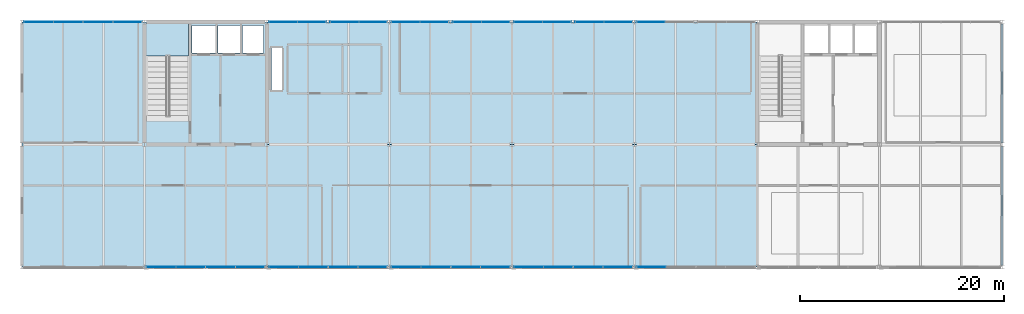
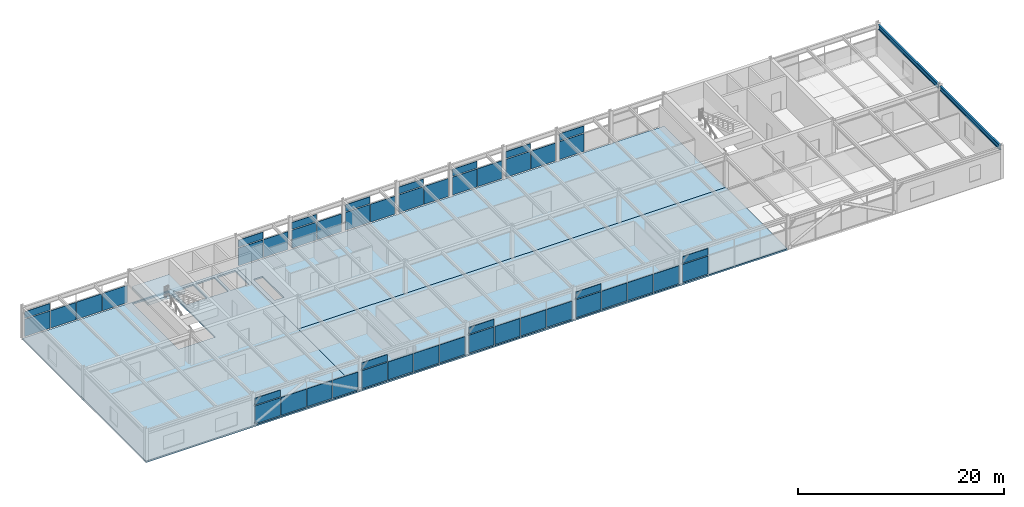
# One storey, part 34 of 40: 47 plates, 4 slabs, 2 beams, 14 elements without a shape of their own.
"""IFC4 building model written with IfcOpenShell, lengths in metres."""

import ifcopenshell
import ifcopenshell.guid

model = None  # the IFC model being written
_history = None  # IfcOwnerHistory: only IFC2X3 demands one
_inside = {}  # id of a spatial element -> (the spatial element, [elements in it])
_under = {}  # id of a project, library or spatial element -> (it, [spatial elements below it])
_declared = {}  # id of a project -> (the project, [libraries it declares])
_typed = {}  # id of a type object -> (the type object, [elements of that type])
_made_of = {}  # id of a material, layer set ... -> (it, [elements and type objects made of it])


def new_model(schema):
    """Start an empty IFC model of exactly this schema.

    Asked for "IFC4X3", IfcOpenShell would pick the latest addendum, in which some entities
    have other attributes; the version numbers below select the first issue.
    IFC2X3 requires an IfcOwnerHistory on every rooted entity: one is made here for all.
    """
    global model, _history
    if schema == "IFC4X3":
        model = ifcopenshell.file(schema_version=(4, 3, 0, 0))
    else:
        model = ifcopenshell.file(schema=schema)
    _inside.clear()
    _under.clear()
    _declared.clear()
    _typed.clear()
    _made_of.clear()
    _history = None
    if model.schema == "IFC2X3":
        org = make("IfcOrganization", Name="unknown")
        user = make(
            "IfcPersonAndOrganization",
            ThePerson=make("IfcPerson", FamilyName="unknown"),
            TheOrganization=org,
        )
        app = make(
            "IfcApplication",
            ApplicationDeveloper=org,
            Version="unknown",
            ApplicationFullName="unknown",
            ApplicationIdentifier="unknown",
        )
        _history = make(
            "IfcOwnerHistory",
            OwningUser=user,
            OwningApplication=app,
            ChangeAction="ADDED",
            CreationDate=0,
        )
    return model


def make(cls, **values):
    """One entity of the class cls with the attributes given. An attribute that is None is left unset."""
    return model.create_entity(
        cls, **{name: value for name, value in values.items() if value is not None}
    )


def rooted(cls, **values):
    """An entity with a GlobalId (a new one), such as an element, a storey or a relation."""
    return make(cls, GlobalId=ifcopenshell.guid.new(), OwnerHistory=_history, **values)


def si_unit(unit_type, name, prefix=None):
    """IfcSIUnit, for example si_unit("LENGTHUNIT", "METRE", prefix="MILLI")."""
    return make("IfcSIUnit", UnitType=unit_type, Prefix=prefix, Name=name)


def assignment(units):
    """IfcUnitAssignment: the units of a project."""
    return None if units is None else make("IfcUnitAssignment", Units=units)


def point(xyz):
    """IfcCartesianPoint."""
    return None if xyz is None else make("IfcCartesianPoint", Coordinates=xyz)


def direction(xyz):
    """IfcDirection."""
    return None if xyz is None else make("IfcDirection", DirectionRatios=xyz)


def frame(location, z_axis=None, x_axis=None):
    """IfcAxis2Placement3D, a coordinate frame: its origin and axes. An axis left out is left unset."""
    return make(
        "IfcAxis2Placement3D",
        Location=point(location),
        Axis=direction(z_axis),
        RefDirection=direction(x_axis),
    )


def frame_2d(location, x_axis=None):
    """IfcAxis2Placement2D, a coordinate frame in the plane: its origin and x axis."""
    return make(
        "IfcAxis2Placement2D", Location=point(location), RefDirection=direction(x_axis)
    )


def origin():
    """The frame at (0, 0, 0) with its axes left unset."""
    return frame((0.0, 0.0, 0.0))


def origin_2d():
    """The frame at (0, 0) in the plane with its x axis left unset."""
    return frame_2d((0.0, 0.0))


def place(relative_to, where):
    """IfcLocalPlacement: puts the frame where relative to a parent placement (None: the world)."""
    return make(
        "IfcLocalPlacement", PlacementRelTo=relative_to, RelativePlacement=where
    )


def context(
    kind, dimensions, precision=None, world=None, true_north=None, identifier=None
):
    """IfcGeometricRepresentationContext, for example the 3D "Model" context."""
    return make(
        "IfcGeometricRepresentationContext",
        ContextIdentifier=identifier,
        ContextType=kind,
        CoordinateSpaceDimension=dimensions,
        Precision=precision,
        WorldCoordinateSystem=world,
        TrueNorth=true_north,
    )


def subcontext(parent, identifier, kind, view, scale=None):
    """IfcGeometricRepresentationSubContext, for example "Body" below "Model"."""
    return make(
        "IfcGeometricRepresentationSubContext",
        ContextIdentifier=identifier,
        ContextType=kind,
        ParentContext=parent,
        TargetScale=scale,
        TargetView=view,
    )


def project(units=None, contexts=None):
    """IfcProject with its units and contexts."""
    return rooted(
        "IfcProject",
        Name="project",
        RepresentationContexts=contexts,
        UnitsInContext=assignment(units),
    )


def spatial(cls, under=None, at=None, **own):
    """A site, building, storey or space (cls), placed at a placement, below another one or the project."""
    s = rooted(cls, ObjectPlacement=at, **own)
    if under is not None:
        _under.setdefault(under.id(), (under, []))[1].append(s)
    return s


def polyline(points):
    """IfcPolyline through the points."""
    return make("IfcPolyline", Points=[point(p) for p in points])


def profile(cls, at=None, kind="AREA", **sizes):
    """A parametric profile (cls). Its sizes go by their IFC names, for example OverallWidth=200.0."""
    return make(cls, ProfileType=kind, Position=at, **sizes)


def rectangle(**sizes):
    """IfcRectangleProfileDef."""
    return profile("IfcRectangleProfileDef", **sizes)


def i_section(**sizes):
    """IfcIShapeProfileDef."""
    return profile("IfcIShapeProfileDef", **sizes)


def outline(outer, holes=None, kind="AREA"):
    """IfcArbitraryClosedProfileDef: a profile drawn as a closed curve; with holes, ...WithVoids."""
    if holes is None:
        return make("IfcArbitraryClosedProfileDef", ProfileType=kind, OuterCurve=outer)
    return make(
        "IfcArbitraryProfileDefWithVoids",
        ProfileType=kind,
        OuterCurve=outer,
        InnerCurves=holes,
    )


def extrude(swept, where, along, depth):
    """IfcExtrudedAreaSolid: the profile swept, set in the frame where, extruded along a direction by depth."""
    return make(
        "IfcExtrudedAreaSolid",
        SweptArea=swept,
        Position=where,
        ExtrudedDirection=direction(along),
        Depth=depth,
    )


def shape(context_of_items, identifier, shape_type, items):
    """IfcShapeRepresentation: the items that make up one representation, for example the "Body"."""
    return make(
        "IfcShapeRepresentation",
        ContextOfItems=context_of_items,
        RepresentationIdentifier=identifier,
        RepresentationType=shape_type,
        Items=items,
    )


def material(Name=None, Category=None):
    """IfcMaterial."""
    return make("IfcMaterial", Name=Name, Category=Category)


def layer(
    of_material, thickness, ventilated=None, Name=None, Category=None, Priority=None
):
    """IfcMaterialLayer: one layer of a wall or slab, of a material (None: an air gap)."""
    return make(
        "IfcMaterialLayer",
        Material=of_material,
        LayerThickness=thickness,
        IsVentilated=ventilated,
        Name=Name,
        Category=Category,
        Priority=Priority,
    )


def layer_set(layers, Name=None):
    """IfcMaterialLayerSet."""
    return make("IfcMaterialLayerSet", MaterialLayers=layers, LayerSetName=Name)


def material_profile(
    of_material, cross_section, Name=None, Category=None, Priority=None
):
    """IfcMaterialProfile: a cross section and its material."""
    return make(
        "IfcMaterialProfile",
        Name=Name,
        Material=of_material,
        Profile=cross_section,
        Priority=Priority,
        Category=Category,
    )


def profile_set(profiles, Name=None, composite=None):
    """IfcMaterialProfileSet."""
    return make(
        "IfcMaterialProfileSet",
        Name=Name,
        MaterialProfiles=profiles,
        CompositeProfile=composite,
    )


def made_of(thing, what):
    """Note that an element or type object is made of a material, layer set ...; save() writes the relation."""
    if what is not None:
        _made_of.setdefault(what.id(), (what, []))[1].append(thing)
    return thing


def type_object(cls, material=None, **own):
    """A type object (cls), such as IfcWallType, which elements share."""
    return made_of(rooted(cls, **own), material)


def element(
    cls,
    number,
    at=None,
    inside=None,
    cuts=None,
    type_object=None,
    material=None,
    context=None,
    identifier="Body",
    shape_type=None,
    held_by="IfcProductDefinitionShape",
    body=None,
    shapes=None,
    **own,
):
    """One element of the class cls, such as IfcWall. Its Tag is "e" and its number.

    at: its placement. inside: the storey or other place that contains it. cuts: it is an
    opening in that element (IfcRelVoidsElement). A single representation is given by context,
    identifier, shape_type and body (its items); several are given by shapes. held_by: the class
    of the entity that holds the representations. save() writes the other relations.
    """
    e = rooted(cls, Tag="e%d" % number, ObjectPlacement=at, **own)
    if body is not None:
        shapes = [shape(context, identifier, shape_type, body)]
    if shapes is not None:
        e.Representation = make(held_by, Representations=shapes)
    if inside is not None:
        _inside.setdefault(inside.id(), (inside, []))[1].append(e)
    if cuts is not None:
        rooted(
            "IfcRelVoidsElement", RelatingBuildingElement=cuts, RelatedOpeningElement=e
        )
    if type_object is not None:
        _typed.setdefault(type_object.id(), (type_object, []))[1].append(e)
    return made_of(e, material)


def aggregate(whole, parts):
    """IfcRelAggregates: a whole, such as a stair, and the parts it consists of."""
    return rooted("IfcRelAggregates", RelatingObject=whole, RelatedObjects=parts)


def save(model, path):
    """Write the relations noted so far, then the file.

    IfcRelAggregates (storeys below a building ...), IfcRelContainedInSpatialStructure (elements
    in a storey), IfcRelDefinesByType, IfcRelAssociatesMaterial and IfcRelDeclares: one each for
    every whole, place, type object, material and project.
    """
    for whole, parts in _under.values():
        aggregate(whole, parts)
    for where, things in _inside.values():
        rooted(
            "IfcRelContainedInSpatialStructure",
            RelatedElements=things,
            RelatingStructure=where,
        )
    for kind, things in _typed.values():
        rooted("IfcRelDefinesByType", RelatedObjects=things, RelatingType=kind)
    for what, things in _made_of.values():
        rooted("IfcRelAssociatesMaterial", RelatedObjects=things, RelatingMaterial=what)
    for by, libraries in _declared.values():
        rooted("IfcRelDeclares", RelatingContext=by, RelatedDefinitions=libraries)
    model.write(path)


model = new_model("IFC4")

# Units and contexts
model_context = context("Model", 3, precision=1e-05, world=origin(), true_north=direction((0.0, 1.0)))
body_context = subcontext(model_context, "Body", "Model", "MODEL_VIEW")
ifc_project = project(units=[si_unit("LENGTHUNIT", "METRE"), si_unit("AREAUNIT", "SQUARE_METRE"), si_unit("VOLUMEUNIT", "CUBIC_METRE"), si_unit("PLANEANGLEUNIT", "RADIAN"), si_unit("MASSUNIT", "GRAM", prefix="KILO")], contexts=[model_context])

# Site, building, storey
site_placement = place(None, origin())
site = spatial("IfcSite", under=ifc_project, at=site_placement, CompositionType="ELEMENT")
building_placement = place(site_placement, origin())
building = spatial("IfcBuilding", under=site, at=building_placement, Name="Girod Span Mobility Hub", CompositionType="ELEMENT")
storey_placement = place(building_placement, frame((0.0, 0.0, 57.60009765625)))
storey = spatial("IfcBuildingStorey", under=building, at=storey_placement, Name="L14", CompositionType="ELEMENT", Elevation=57.60009765625)

# Beams
ifc_material_1 = material(Name="Steel A992 Grade 50", Category="steel")
ifc_material_profile = material_profile(ifc_material_1, i_section(OverallWidth=0.2119140625, OverallDepth=0.5439453125, WebThickness=0.01318359375, FlangeThickness=0.021240234375, FilletRadius=0.014892578125, at=origin_2d()), Name="W21X83")
ifc_profile_set = profile_set([ifc_material_profile], Name="Steel A992 Grade 50")
beam_type = type_object("IfcBeamType", Name="BM-STL-W21X83", PredefinedType="SPANDREL", material=ifc_profile_set)
for number, where, z_axis, x_axis, name in (
    (1, (132.0, 45.175048828125, 3.48779296875), (0.0, 1.0, 0.0), (-1.0, 0.0, 0.0), "Tie Girder 12/D-E L14"),
    (2, (132.0, 57.175048828125, 3.48779296875), (0.0, 1.0, 0.0), (-1.0, 0.0, 0.0), "Tie Girder 12/E-F L14"),
):
    element("IfcBeam", number, at=place(storey_placement, frame(where, z_axis=z_axis, x_axis=x_axis)), inside=storey, type_object=beam_type, Name=name, PredefinedType="SPANDREL", context=body_context, shape_type="SweptSolid", body=[
        extrude(i_section(OverallWidth=0.2119140625, OverallDepth=0.5439453125, WebThickness=0.01318359375, FlangeThickness=0.021240234375, FilletRadius=0.014892578125, at=origin_2d()), origin(), (0.0, 0.0, 1.0), 11.64990234375),
    ])

# Curtain wall, plate
ifc_material_2 = material(Name="Thermally Broken Anodised Aluminium", Category="aluminium")
curtain_wall_type_1 = type_object("IfcCurtainWallType", Name="CW-564X331", PredefinedType="USERDEFINED", material=ifc_material_2)
curtain_wall_1_placement = place(storey_placement, origin())
curtain_wall_1 = element("IfcCurtainWall", 3, at=curtain_wall_1_placement, inside=storey, type_object=curtain_wall_type_1, Name="Unitised Curtain Wall CW-L14-N06W L14", ObjectType="UNITISED CURTAIN WALL", PredefinedType="USERDEFINED")
ifc_material_3 = material(Name="Double Low-E Insulated Glazing", Category="glass")
ifc_layer_1 = layer(ifc_material_3, 0.05810546875)
ifc_layer_set_1 = layer_set([ifc_layer_1], Name="Double Low-E Insulated Glazing")
plate_type_1 = type_object("IfcPlateType", Name="PLT-SPN-2748X846X58", PredefinedType="CURTAIN_PANEL", material=ifc_layer_set_1)
plate_1_placement = place(storey_placement, frame((61.59130859375, 69.0, 2.380126953125), z_axis=(0.0, 0.0, 1.0), x_axis=(1.0, 0.0, 0.0)))
plate_1 = element("IfcPlate", 4, at=plate_1_placement, type_object=plate_type_1, Name="Spandrel Glazing Panel CW-L14-N06W-S1", PredefinedType="CURTAIN_PANEL", context=body_context, shape_type="SweptSolid", body=[
    extrude(rectangle(XDim=2.75341796875, YDim=0.05810546875, at=origin_2d()), origin(), (0.0, 0.0, 1.0), 0.8056640625),
])

curtain_wall_2_placement = place(storey_placement, origin())
curtain_wall_2 = element("IfcCurtainWall", 5, at=curtain_wall_2_placement, inside=storey, type_object=curtain_wall_type_1, Name="Unitised Curtain Wall CW-L14-N06E L14", ObjectType="UNITISED CURTAIN WALL", PredefinedType="USERDEFINED")
plate_2_placement = place(storey_placement, frame((67.59130859375, 69.0, 2.380126953125), z_axis=(0.0, 0.0, 1.0), x_axis=(1.0, 0.0, 0.0)))
plate_2 = element("IfcPlate", 6, at=plate_2_placement, type_object=plate_type_1, Name="Spandrel Glazing Panel CW-L14-N06E-S1", PredefinedType="CURTAIN_PANEL", context=body_context, shape_type="SweptSolid", body=[
    extrude(rectangle(XDim=2.75341796875, YDim=0.05810546875, at=origin_2d()), origin(), (0.0, 0.0, 1.0), 0.8056640625),
])

curtain_wall_3_placement = place(storey_placement, origin())
curtain_wall_3 = element("IfcCurtainWall", 7, at=curtain_wall_3_placement, inside=storey, type_object=curtain_wall_type_1, Name="Unitised Curtain Wall CW-L14-N07W L14", ObjectType="UNITISED CURTAIN WALL", PredefinedType="USERDEFINED")
plate_3_placement = place(storey_placement, frame((73.59130859375, 69.0, 2.380126953125), z_axis=(0.0, 0.0, 1.0), x_axis=(1.0, 0.0, 0.0)))
plate_3 = element("IfcPlate", 8, at=plate_3_placement, type_object=plate_type_1, Name="Spandrel Glazing Panel CW-L14-N07W-S1", PredefinedType="CURTAIN_PANEL", context=body_context, shape_type="SweptSolid", body=[
    extrude(rectangle(XDim=2.75341796875, YDim=0.05810546875, at=origin_2d()), origin(), (0.0, 0.0, 1.0), 0.8056640625),
])

curtain_wall_4_placement = place(storey_placement, origin())
curtain_wall_4 = element("IfcCurtainWall", 9, at=curtain_wall_4_placement, inside=storey, type_object=curtain_wall_type_1, Name="Unitised Curtain Wall CW-L14-N07E L14", ObjectType="UNITISED CURTAIN WALL", PredefinedType="USERDEFINED")
plate_4_placement = place(storey_placement, frame((79.59130859375, 69.0, 2.380126953125), z_axis=(0.0, 0.0, 1.0), x_axis=(1.0, 0.0, 0.0)))
plate_4 = element("IfcPlate", 10, at=plate_4_placement, type_object=plate_type_1, Name="Spandrel Glazing Panel CW-L14-N07E-S1", PredefinedType="CURTAIN_PANEL", context=body_context, shape_type="SweptSolid", body=[
    extrude(rectangle(XDim=2.75341796875, YDim=0.05810546875, at=origin_2d()), origin(), (0.0, 0.0, 1.0), 0.8056640625),
])

curtain_wall_5_placement = place(storey_placement, origin())
curtain_wall_5 = element("IfcCurtainWall", 11, at=curtain_wall_5_placement, inside=storey, type_object=curtain_wall_type_1, Name="Unitised Curtain Wall CW-L14-N08W L14", ObjectType="UNITISED CURTAIN WALL", PredefinedType="USERDEFINED")
plate_5_placement = place(storey_placement, frame((85.59130859375, 69.0, 2.380126953125), z_axis=(0.0, 0.0, 1.0), x_axis=(1.0, 0.0, 0.0)))
plate_5 = element("IfcPlate", 12, at=plate_5_placement, type_object=plate_type_1, Name="Spandrel Glazing Panel CW-L14-N08W-S1", PredefinedType="CURTAIN_PANEL", context=body_context, shape_type="SweptSolid", body=[
    extrude(rectangle(XDim=2.75341796875, YDim=0.05810546875, at=origin_2d()), origin(), (0.0, 0.0, 1.0), 0.8056640625),
])

curtain_wall_6_placement = place(storey_placement, origin())
curtain_wall_6 = element("IfcCurtainWall", 13, at=curtain_wall_6_placement, inside=storey, type_object=curtain_wall_type_1, Name="Unitised Curtain Wall CW-L14-N08E L14", ObjectType="UNITISED CURTAIN WALL", PredefinedType="USERDEFINED")
plate_6_placement = place(storey_placement, frame((91.59130859375, 69.0, 2.380126953125), z_axis=(0.0, 0.0, 1.0), x_axis=(1.0, 0.0, 0.0)))
plate_6 = element("IfcPlate", 14, at=plate_6_placement, type_object=plate_type_1, Name="Spandrel Glazing Panel CW-L14-N08E-S1", PredefinedType="CURTAIN_PANEL", context=body_context, shape_type="SweptSolid", body=[
    extrude(rectangle(XDim=2.75341796875, YDim=0.05810546875, at=origin_2d()), origin(), (0.0, 0.0, 1.0), 0.8056640625),
])

curtain_wall_7_placement = place(storey_placement, origin())
curtain_wall_7 = element("IfcCurtainWall", 15, at=curtain_wall_7_placement, inside=storey, type_object=curtain_wall_type_1, Name="Unitised Curtain Wall CW-L14-N09W L14", ObjectType="UNITISED CURTAIN WALL", PredefinedType="USERDEFINED")
plate_7_placement = place(storey_placement, frame((97.59130859375, 69.0, 2.380126953125), z_axis=(0.0, 0.0, 1.0), x_axis=(1.0, 0.0, 0.0)))
plate_7 = element("IfcPlate", 16, at=plate_7_placement, type_object=plate_type_1, Name="Spandrel Glazing Panel CW-L14-N09W-S1", PredefinedType="CURTAIN_PANEL", context=body_context, shape_type="SweptSolid", body=[
    extrude(rectangle(XDim=2.75341796875, YDim=0.05810546875, at=origin_2d()), origin(), (0.0, 0.0, 1.0), 0.8056640625),
])

ifc_material_4 = material(Name="Thermally Broken Anodised Aluminium", Category="aluminium")
curtain_wall_type_2 = type_object("IfcCurtainWallType", Name="CW-1164X322", PredefinedType="USERDEFINED", material=ifc_material_4)
curtain_wall_8_placement = place(storey_placement, origin())
curtain_wall_8 = element("IfcCurtainWall", 17, at=curtain_wall_8_placement, inside=storey, type_object=curtain_wall_type_2, Name="Unitised Curtain Wall CW-L14-N04 L14", ObjectType="UNITISED CURTAIN WALL", PredefinedType="USERDEFINED")
ifc_material_5 = material(Name="Double Low-E Insulated Glazing", Category="glass")
ifc_layer_2 = layer(ifc_material_5, 0.05810546875)
ifc_layer_set_2 = layer_set([ifc_layer_2], Name="Double Low-E Insulated Glazing")
plate_type_2 = type_object("IfcPlateType", Name="PLT-SPN-2839X820X58", PredefinedType="CURTAIN_PANEL", material=ifc_layer_set_2)
plate_8_placement = place(storey_placement, frame((37.636962890625, 69.0, 2.3154296875), z_axis=(0.0, 0.0, 1.0), x_axis=(1.0, 0.0, 0.0)))
plate_8 = element("IfcPlate", 18, at=plate_8_placement, type_object=plate_type_2, Name="Spandrel Glazing Panel CW-L14-N04-S1", PredefinedType="CURTAIN_PANEL", context=body_context, shape_type="SweptSolid", body=[
    extrude(rectangle(XDim=2.8447265625, YDim=0.05810546875, at=origin_2d()), origin(), (0.0, 0.0, 1.0), 0.780517578125),
])

ifc_material_6 = material(Name="Thermally Broken Anodised Aluminium", Category="aluminium")
curtain_wall_type_3 = type_object("IfcCurtainWallType", Name="CW-1164X331", PredefinedType="USERDEFINED", material=ifc_material_6)
curtain_wall_9_placement = place(storey_placement, origin())
curtain_wall_9 = element("IfcCurtainWall", 19, at=curtain_wall_9_placement, inside=storey, type_object=curtain_wall_type_3, Name="Unitised Curtain Wall CW-L14-S05 L14", ObjectType="UNITISED CURTAIN WALL", PredefinedType="USERDEFINED")
ifc_material_7 = material(Name="Double Low-E Insulated Glazing", Category="glass")
ifc_layer_3 = layer(ifc_material_7, 0.05810546875)
ifc_layer_set_3 = layer_set([ifc_layer_3], Name="Double Low-E Insulated Glazing")
plate_type_3 = type_object("IfcPlateType", Name="PLT-SPN-2839X846X58", PredefinedType="CURTAIN_PANEL", material=ifc_layer_set_3)
plate_9_placement = place(storey_placement, frame((49.636962890625, 45.0, 2.380126953125), z_axis=(0.0, 0.0, 1.0), x_axis=(1.0, 0.0, 0.0)))
plate_9 = element("IfcPlate", 20, at=plate_9_placement, type_object=plate_type_3, Name="Spandrel Glazing Panel CW-L14-S05-S1", PredefinedType="CURTAIN_PANEL", context=body_context, shape_type="SweptSolid", body=[
    extrude(rectangle(XDim=2.8447265625, YDim=0.05810546875, at=origin_2d()), origin(), (0.0, 0.0, 1.0), 0.8056640625),
])

curtain_wall_10_placement = place(storey_placement, origin())
curtain_wall_10 = element("IfcCurtainWall", 21, at=curtain_wall_10_placement, inside=storey, type_object=curtain_wall_type_3, Name="Unitised Curtain Wall CW-L14-S06 L14", ObjectType="UNITISED CURTAIN WALL", PredefinedType="USERDEFINED")
plate_10_placement = place(storey_placement, frame((61.636962890625, 45.0, 2.380126953125), z_axis=(0.0, 0.0, 1.0), x_axis=(1.0, 0.0, 0.0)))
plate_10 = element("IfcPlate", 22, at=plate_10_placement, type_object=plate_type_3, Name="Spandrel Glazing Panel CW-L14-S06-S1", PredefinedType="CURTAIN_PANEL", context=body_context, shape_type="SweptSolid", body=[
    extrude(rectangle(XDim=2.8447265625, YDim=0.05810546875, at=origin_2d()), origin(), (0.0, 0.0, 1.0), 0.8056640625),
])

curtain_wall_11_placement = place(storey_placement, origin())
curtain_wall_11 = element("IfcCurtainWall", 23, at=curtain_wall_11_placement, inside=storey, type_object=curtain_wall_type_3, Name="Unitised Curtain Wall CW-L14-S07 L14", ObjectType="UNITISED CURTAIN WALL", PredefinedType="USERDEFINED")
plate_11_placement = place(storey_placement, frame((73.636962890625, 45.0, 2.380126953125), z_axis=(0.0, 0.0, 1.0), x_axis=(1.0, 0.0, 0.0)))
plate_11 = element("IfcPlate", 24, at=plate_11_placement, type_object=plate_type_3, Name="Spandrel Glazing Panel CW-L14-S07-S1", PredefinedType="CURTAIN_PANEL", context=body_context, shape_type="SweptSolid", body=[
    extrude(rectangle(XDim=2.8447265625, YDim=0.05810546875, at=origin_2d()), origin(), (0.0, 0.0, 1.0), 0.8056640625),
])

curtain_wall_12_placement = place(storey_placement, origin())
curtain_wall_12 = element("IfcCurtainWall", 25, at=curtain_wall_12_placement, inside=storey, type_object=curtain_wall_type_3, Name="Unitised Curtain Wall CW-L14-S08 L14", ObjectType="UNITISED CURTAIN WALL", PredefinedType="USERDEFINED")
plate_12_placement = place(storey_placement, frame((85.636962890625, 45.0, 2.380126953125), z_axis=(0.0, 0.0, 1.0), x_axis=(1.0, 0.0, 0.0)))
plate_12 = element("IfcPlate", 26, at=plate_12_placement, type_object=plate_type_3, Name="Spandrel Glazing Panel CW-L14-S08-S1", PredefinedType="CURTAIN_PANEL", context=body_context, shape_type="SweptSolid", body=[
    extrude(rectangle(XDim=2.8447265625, YDim=0.05810546875, at=origin_2d()), origin(), (0.0, 0.0, 1.0), 0.8056640625),
])

curtain_wall_13_placement = place(storey_placement, origin())
curtain_wall_13 = element("IfcCurtainWall", 27, at=curtain_wall_13_placement, inside=storey, type_object=curtain_wall_type_3, Name="Unitised Curtain Wall CW-L14-S09 L14", ObjectType="UNITISED CURTAIN WALL", PredefinedType="USERDEFINED")
plate_13_placement = place(storey_placement, frame((97.636962890625, 45.0, 2.380126953125), z_axis=(0.0, 0.0, 1.0), x_axis=(1.0, 0.0, 0.0)))
plate_13 = element("IfcPlate", 28, at=plate_13_placement, type_object=plate_type_3, Name="Spandrel Glazing Panel CW-L14-S09-S1", PredefinedType="CURTAIN_PANEL", context=body_context, shape_type="SweptSolid", body=[
    extrude(rectangle(XDim=2.8447265625, YDim=0.05810546875, at=origin_2d()), origin(), (0.0, 0.0, 1.0), 0.8056640625),
])

# Plate
ifc_material_8 = material(Name="Double Low-E Insulated Glazing", Category="glass")
ifc_layer_4 = layer(ifc_material_8, 0.0458984375)
ifc_layer_set_4 = layer_set([ifc_layer_4], Name="Double Low-E Insulated Glazing")
plate_type_4 = type_object("IfcPlateType", Name="PLT-VIS-2748X2380X46", PredefinedType="CURTAIN_PANEL", material=ifc_layer_set_4)
plate_14_placement = place(storey_placement, frame((61.59130859375, 69.0, 0.1396484375), z_axis=(0.0, 0.0, 1.0), x_axis=(1.0, 0.0, 0.0)))
plate_14 = element("IfcPlate", 29, at=plate_14_placement, type_object=plate_type_4, Name="Vision Glazing Panel CW-L14-N06W-V1", PredefinedType="CURTAIN_PANEL", context=body_context, shape_type="SweptSolid", body=[
    extrude(rectangle(XDim=2.75341796875, YDim=0.0458984375, at=origin_2d()), origin(), (0.0, 0.0, 1.0), 2.120361328125),
])

plate_15_placement = place(storey_placement, frame((64.40869140625, 69.0, 0.1396484375), z_axis=(0.0, 0.0, 1.0), x_axis=(1.0, 0.0, 0.0)))
plate_15 = element("IfcPlate", 30, at=plate_15_placement, type_object=plate_type_4, Name="Vision Glazing Panel CW-L14-N06W-V2", PredefinedType="CURTAIN_PANEL", context=body_context, shape_type="SweptSolid", body=[
    extrude(rectangle(XDim=2.75341796875, YDim=0.0458984375, at=origin_2d()), origin(), (0.0, 0.0, 1.0), 2.120361328125),
])

aggregate(curtain_wall_1, [plate_14, plate_1, plate_15])

plate_16_placement = place(storey_placement, frame((67.59130859375, 69.0, 0.1396484375), z_axis=(0.0, 0.0, 1.0), x_axis=(1.0, 0.0, 0.0)))
plate_16 = element("IfcPlate", 31, at=plate_16_placement, type_object=plate_type_4, Name="Vision Glazing Panel CW-L14-N06E-V1", PredefinedType="CURTAIN_PANEL", context=body_context, shape_type="SweptSolid", body=[
    extrude(rectangle(XDim=2.75341796875, YDim=0.0458984375, at=origin_2d()), origin(), (0.0, 0.0, 1.0), 2.120361328125),
])

plate_17_placement = place(storey_placement, frame((70.40869140625, 69.0, 0.1396484375), z_axis=(0.0, 0.0, 1.0), x_axis=(1.0, 0.0, 0.0)))
plate_17 = element("IfcPlate", 32, at=plate_17_placement, type_object=plate_type_4, Name="Vision Glazing Panel CW-L14-N06E-V2", PredefinedType="CURTAIN_PANEL", context=body_context, shape_type="SweptSolid", body=[
    extrude(rectangle(XDim=2.75341796875, YDim=0.0458984375, at=origin_2d()), origin(), (0.0, 0.0, 1.0), 2.120361328125),
])

aggregate(curtain_wall_2, [plate_16, plate_2, plate_17])

plate_18_placement = place(storey_placement, frame((73.59130859375, 69.0, 0.1396484375), z_axis=(0.0, 0.0, 1.0), x_axis=(1.0, 0.0, 0.0)))
plate_18 = element("IfcPlate", 33, at=plate_18_placement, type_object=plate_type_4, Name="Vision Glazing Panel CW-L14-N07W-V1", PredefinedType="CURTAIN_PANEL", context=body_context, shape_type="SweptSolid", body=[
    extrude(rectangle(XDim=2.75341796875, YDim=0.0458984375, at=origin_2d()), origin(), (0.0, 0.0, 1.0), 2.120361328125),
])

plate_19_placement = place(storey_placement, frame((76.40869140625, 69.0, 0.1396484375), z_axis=(0.0, 0.0, 1.0), x_axis=(1.0, 0.0, 0.0)))
plate_19 = element("IfcPlate", 34, at=plate_19_placement, type_object=plate_type_4, Name="Vision Glazing Panel CW-L14-N07W-V2", PredefinedType="CURTAIN_PANEL", context=body_context, shape_type="SweptSolid", body=[
    extrude(rectangle(XDim=2.75341796875, YDim=0.0458984375, at=origin_2d()), origin(), (0.0, 0.0, 1.0), 2.120361328125),
])

aggregate(curtain_wall_3, [plate_18, plate_3, plate_19])

plate_20_placement = place(storey_placement, frame((79.59130859375, 69.0, 0.1396484375), z_axis=(0.0, 0.0, 1.0), x_axis=(1.0, 0.0, 0.0)))
plate_20 = element("IfcPlate", 35, at=plate_20_placement, type_object=plate_type_4, Name="Vision Glazing Panel CW-L14-N07E-V1", PredefinedType="CURTAIN_PANEL", context=body_context, shape_type="SweptSolid", body=[
    extrude(rectangle(XDim=2.75341796875, YDim=0.0458984375, at=origin_2d()), origin(), (0.0, 0.0, 1.0), 2.120361328125),
])

plate_21_placement = place(storey_placement, frame((82.40869140625, 69.0, 0.1396484375), z_axis=(0.0, 0.0, 1.0), x_axis=(1.0, 0.0, 0.0)))
plate_21 = element("IfcPlate", 36, at=plate_21_placement, type_object=plate_type_4, Name="Vision Glazing Panel CW-L14-N07E-V2", PredefinedType="CURTAIN_PANEL", context=body_context, shape_type="SweptSolid", body=[
    extrude(rectangle(XDim=2.75341796875, YDim=0.0458984375, at=origin_2d()), origin(), (0.0, 0.0, 1.0), 2.120361328125),
])

aggregate(curtain_wall_4, [plate_20, plate_4, plate_21])

plate_22_placement = place(storey_placement, frame((85.59130859375, 69.0, 0.1396484375), z_axis=(0.0, 0.0, 1.0), x_axis=(1.0, 0.0, 0.0)))
plate_22 = element("IfcPlate", 37, at=plate_22_placement, type_object=plate_type_4, Name="Vision Glazing Panel CW-L14-N08W-V1", PredefinedType="CURTAIN_PANEL", context=body_context, shape_type="SweptSolid", body=[
    extrude(rectangle(XDim=2.75341796875, YDim=0.0458984375, at=origin_2d()), origin(), (0.0, 0.0, 1.0), 2.120361328125),
])

plate_23_placement = place(storey_placement, frame((88.40869140625, 69.0, 0.1396484375), z_axis=(0.0, 0.0, 1.0), x_axis=(1.0, 0.0, 0.0)))
plate_23 = element("IfcPlate", 38, at=plate_23_placement, type_object=plate_type_4, Name="Vision Glazing Panel CW-L14-N08W-V2", PredefinedType="CURTAIN_PANEL", context=body_context, shape_type="SweptSolid", body=[
    extrude(rectangle(XDim=2.75341796875, YDim=0.0458984375, at=origin_2d()), origin(), (0.0, 0.0, 1.0), 2.120361328125),
])

aggregate(curtain_wall_5, [plate_22, plate_5, plate_23])

plate_24_placement = place(storey_placement, frame((91.59130859375, 69.0, 0.1396484375), z_axis=(0.0, 0.0, 1.0), x_axis=(1.0, 0.0, 0.0)))
plate_24 = element("IfcPlate", 39, at=plate_24_placement, type_object=plate_type_4, Name="Vision Glazing Panel CW-L14-N08E-V1", PredefinedType="CURTAIN_PANEL", context=body_context, shape_type="SweptSolid", body=[
    extrude(rectangle(XDim=2.75341796875, YDim=0.0458984375, at=origin_2d()), origin(), (0.0, 0.0, 1.0), 2.120361328125),
])

plate_25_placement = place(storey_placement, frame((94.40869140625, 69.0, 0.1396484375), z_axis=(0.0, 0.0, 1.0), x_axis=(1.0, 0.0, 0.0)))
plate_25 = element("IfcPlate", 40, at=plate_25_placement, type_object=plate_type_4, Name="Vision Glazing Panel CW-L14-N08E-V2", PredefinedType="CURTAIN_PANEL", context=body_context, shape_type="SweptSolid", body=[
    extrude(rectangle(XDim=2.75341796875, YDim=0.0458984375, at=origin_2d()), origin(), (0.0, 0.0, 1.0), 2.120361328125),
])

aggregate(curtain_wall_6, [plate_24, plate_6, plate_25])

plate_26_placement = place(storey_placement, frame((97.59130859375, 69.0, 0.1396484375), z_axis=(0.0, 0.0, 1.0), x_axis=(1.0, 0.0, 0.0)))
plate_26 = element("IfcPlate", 41, at=plate_26_placement, type_object=plate_type_4, Name="Vision Glazing Panel CW-L14-N09W-V1", PredefinedType="CURTAIN_PANEL", context=body_context, shape_type="SweptSolid", body=[
    extrude(rectangle(XDim=2.75341796875, YDim=0.0458984375, at=origin_2d()), origin(), (0.0, 0.0, 1.0), 2.120361328125),
])

aggregate(curtain_wall_7, [plate_26, plate_7])

ifc_material_9 = material(Name="Double Low-E Insulated Glazing", Category="glass")
ifc_layer_5 = layer(ifc_material_9, 0.0458984375)
ifc_layer_set_5 = layer_set([ifc_layer_5], Name="Double Low-E Insulated Glazing")
plate_type_5 = type_object("IfcPlateType", Name="PLT-VIS-2839X2316X46", PredefinedType="CURTAIN_PANEL", material=ifc_layer_set_5)
plate_27_placement = place(storey_placement, frame((37.636962890625, 69.0, 0.14013671875), z_axis=(0.0, 0.0, 1.0), x_axis=(1.0, 0.0, 0.0)))
plate_27 = element("IfcPlate", 42, at=plate_27_placement, type_object=plate_type_5, Name="Vision Glazing Panel CW-L14-N04-V1", PredefinedType="CURTAIN_PANEL", context=body_context, shape_type="SweptSolid", body=[
    extrude(rectangle(XDim=2.8447265625, YDim=0.0458984375, at=origin_2d()), origin(), (0.0, 0.0, 1.0), 2.055419921875),
])

plate_28_placement = place(storey_placement, frame((40.545654296875, 69.0, 0.14013671875), z_axis=(0.0, 0.0, 1.0), x_axis=(1.0, 0.0, 0.0)))
plate_28 = element("IfcPlate", 43, at=plate_28_placement, type_object=plate_type_5, Name="Vision Glazing Panel CW-L14-N04-V2", PredefinedType="CURTAIN_PANEL", context=body_context, shape_type="SweptSolid", body=[
    extrude(rectangle(XDim=2.8447265625, YDim=0.0458984375, at=origin_2d()), origin(), (0.0, 0.0, 1.0), 2.055419921875),
])

plate_29_placement = place(storey_placement, frame((43.454345703125, 69.0, 0.14013671875), z_axis=(0.0, 0.0, 1.0), x_axis=(1.0, 0.0, 0.0)))
plate_29 = element("IfcPlate", 44, at=plate_29_placement, type_object=plate_type_5, Name="Vision Glazing Panel CW-L14-N04-V3", PredefinedType="CURTAIN_PANEL", context=body_context, shape_type="SweptSolid", body=[
    extrude(rectangle(XDim=2.8447265625, YDim=0.0458984375, at=origin_2d()), origin(), (0.0, 0.0, 1.0), 2.055419921875),
])

plate_30_placement = place(storey_placement, frame((46.363037109375, 69.0, 0.14013671875), z_axis=(0.0, 0.0, 1.0), x_axis=(1.0, 0.0, 0.0)))
plate_30 = element("IfcPlate", 45, at=plate_30_placement, type_object=plate_type_5, Name="Vision Glazing Panel CW-L14-N04-V4", PredefinedType="CURTAIN_PANEL", context=body_context, shape_type="SweptSolid", body=[
    extrude(rectangle(XDim=2.8447265625, YDim=0.0458984375, at=origin_2d()), origin(), (0.0, 0.0, 1.0), 2.055419921875),
])

aggregate(curtain_wall_8, [plate_27, plate_8, plate_28, plate_29, plate_30])

ifc_material_10 = material(Name="Double Low-E Insulated Glazing", Category="glass")
ifc_layer_6 = layer(ifc_material_10, 0.0458984375)
ifc_layer_set_6 = layer_set([ifc_layer_6], Name="Double Low-E Insulated Glazing")
plate_type_6 = type_object("IfcPlateType", Name="PLT-VIS-2839X2380X46", PredefinedType="CURTAIN_PANEL", material=ifc_layer_set_6)
plate_31_placement = place(storey_placement, frame((49.636962890625, 45.0, 0.1396484375), z_axis=(0.0, 0.0, 1.0), x_axis=(1.0, 0.0, 0.0)))
plate_31 = element("IfcPlate", 46, at=plate_31_placement, type_object=plate_type_6, Name="Vision Glazing Panel CW-L14-S05-V1", PredefinedType="CURTAIN_PANEL", context=body_context, shape_type="SweptSolid", body=[
    extrude(rectangle(XDim=2.8447265625, YDim=0.0458984375, at=origin_2d()), origin(), (0.0, 0.0, 1.0), 2.120361328125),
])

plate_32_placement = place(storey_placement, frame((52.545654296875, 45.0, 0.1396484375), z_axis=(0.0, 0.0, 1.0), x_axis=(1.0, 0.0, 0.0)))
plate_32 = element("IfcPlate", 47, at=plate_32_placement, type_object=plate_type_6, Name="Vision Glazing Panel CW-L14-S05-V2", PredefinedType="CURTAIN_PANEL", context=body_context, shape_type="SweptSolid", body=[
    extrude(rectangle(XDim=2.8447265625, YDim=0.0458984375, at=origin_2d()), origin(), (0.0, 0.0, 1.0), 2.120361328125),
])

plate_33_placement = place(storey_placement, frame((55.454345703125, 45.0, 0.1396484375), z_axis=(0.0, 0.0, 1.0), x_axis=(1.0, 0.0, 0.0)))
plate_33 = element("IfcPlate", 48, at=plate_33_placement, type_object=plate_type_6, Name="Vision Glazing Panel CW-L14-S05-V3", PredefinedType="CURTAIN_PANEL", context=body_context, shape_type="SweptSolid", body=[
    extrude(rectangle(XDim=2.8447265625, YDim=0.0458984375, at=origin_2d()), origin(), (0.0, 0.0, 1.0), 2.120361328125),
])

plate_34_placement = place(storey_placement, frame((58.363037109375, 45.0, 0.1396484375), z_axis=(0.0, 0.0, 1.0), x_axis=(1.0, 0.0, 0.0)))
plate_34 = element("IfcPlate", 49, at=plate_34_placement, type_object=plate_type_6, Name="Vision Glazing Panel CW-L14-S05-V4", PredefinedType="CURTAIN_PANEL", context=body_context, shape_type="SweptSolid", body=[
    extrude(rectangle(XDim=2.8447265625, YDim=0.0458984375, at=origin_2d()), origin(), (0.0, 0.0, 1.0), 2.120361328125),
])

aggregate(curtain_wall_9, [plate_31, plate_9, plate_32, plate_33, plate_34])

plate_35_placement = place(storey_placement, frame((61.636962890625, 45.0, 0.1396484375), z_axis=(0.0, 0.0, 1.0), x_axis=(1.0, 0.0, 0.0)))
plate_35 = element("IfcPlate", 50, at=plate_35_placement, type_object=plate_type_6, Name="Vision Glazing Panel CW-L14-S06-V1", PredefinedType="CURTAIN_PANEL", context=body_context, shape_type="SweptSolid", body=[
    extrude(rectangle(XDim=2.8447265625, YDim=0.0458984375, at=origin_2d()), origin(), (0.0, 0.0, 1.0), 2.120361328125),
])

plate_36_placement = place(storey_placement, frame((64.545654296875, 45.0, 0.1396484375), z_axis=(0.0, 0.0, 1.0), x_axis=(1.0, 0.0, 0.0)))
plate_36 = element("IfcPlate", 51, at=plate_36_placement, type_object=plate_type_6, Name="Vision Glazing Panel CW-L14-S06-V2", PredefinedType="CURTAIN_PANEL", context=body_context, shape_type="SweptSolid", body=[
    extrude(rectangle(XDim=2.8447265625, YDim=0.0458984375, at=origin_2d()), origin(), (0.0, 0.0, 1.0), 2.120361328125),
])

plate_37_placement = place(storey_placement, frame((67.454345703125, 45.0, 0.1396484375), z_axis=(0.0, 0.0, 1.0), x_axis=(1.0, 0.0, 0.0)))
plate_37 = element("IfcPlate", 52, at=plate_37_placement, type_object=plate_type_6, Name="Vision Glazing Panel CW-L14-S06-V3", PredefinedType="CURTAIN_PANEL", context=body_context, shape_type="SweptSolid", body=[
    extrude(rectangle(XDim=2.8447265625, YDim=0.0458984375, at=origin_2d()), origin(), (0.0, 0.0, 1.0), 2.120361328125),
])

plate_38_placement = place(storey_placement, frame((70.363037109375, 45.0, 0.1396484375), z_axis=(0.0, 0.0, 1.0), x_axis=(1.0, 0.0, 0.0)))
plate_38 = element("IfcPlate", 53, at=plate_38_placement, type_object=plate_type_6, Name="Vision Glazing Panel CW-L14-S06-V4", PredefinedType="CURTAIN_PANEL", context=body_context, shape_type="SweptSolid", body=[
    extrude(rectangle(XDim=2.8447265625, YDim=0.0458984375, at=origin_2d()), origin(), (0.0, 0.0, 1.0), 2.120361328125),
])

aggregate(curtain_wall_10, [plate_35, plate_10, plate_36, plate_37, plate_38])

plate_39_placement = place(storey_placement, frame((73.636962890625, 45.0, 0.1396484375), z_axis=(0.0, 0.0, 1.0), x_axis=(1.0, 0.0, 0.0)))
plate_39 = element("IfcPlate", 54, at=plate_39_placement, type_object=plate_type_6, Name="Vision Glazing Panel CW-L14-S07-V1", PredefinedType="CURTAIN_PANEL", context=body_context, shape_type="SweptSolid", body=[
    extrude(rectangle(XDim=2.8447265625, YDim=0.0458984375, at=origin_2d()), origin(), (0.0, 0.0, 1.0), 2.120361328125),
])

plate_40_placement = place(storey_placement, frame((76.545654296875, 45.0, 0.1396484375), z_axis=(0.0, 0.0, 1.0), x_axis=(1.0, 0.0, 0.0)))
plate_40 = element("IfcPlate", 55, at=plate_40_placement, type_object=plate_type_6, Name="Vision Glazing Panel CW-L14-S07-V2", PredefinedType="CURTAIN_PANEL", context=body_context, shape_type="SweptSolid", body=[
    extrude(rectangle(XDim=2.8447265625, YDim=0.0458984375, at=origin_2d()), origin(), (0.0, 0.0, 1.0), 2.120361328125),
])

plate_41_placement = place(storey_placement, frame((79.454345703125, 45.0, 0.1396484375), z_axis=(0.0, 0.0, 1.0), x_axis=(1.0, 0.0, 0.0)))
plate_41 = element("IfcPlate", 56, at=plate_41_placement, type_object=plate_type_6, Name="Vision Glazing Panel CW-L14-S07-V3", PredefinedType="CURTAIN_PANEL", context=body_context, shape_type="SweptSolid", body=[
    extrude(rectangle(XDim=2.8447265625, YDim=0.0458984375, at=origin_2d()), origin(), (0.0, 0.0, 1.0), 2.120361328125),
])

plate_42_placement = place(storey_placement, frame((82.363037109375, 45.0, 0.1396484375), z_axis=(0.0, 0.0, 1.0), x_axis=(1.0, 0.0, 0.0)))
plate_42 = element("IfcPlate", 57, at=plate_42_placement, type_object=plate_type_6, Name="Vision Glazing Panel CW-L14-S07-V4", PredefinedType="CURTAIN_PANEL", context=body_context, shape_type="SweptSolid", body=[
    extrude(rectangle(XDim=2.8447265625, YDim=0.0458984375, at=origin_2d()), origin(), (0.0, 0.0, 1.0), 2.120361328125),
])

aggregate(curtain_wall_11, [plate_39, plate_11, plate_40, plate_41, plate_42])

plate_43_placement = place(storey_placement, frame((85.636962890625, 45.0, 0.1396484375), z_axis=(0.0, 0.0, 1.0), x_axis=(1.0, 0.0, 0.0)))
plate_43 = element("IfcPlate", 58, at=plate_43_placement, type_object=plate_type_6, Name="Vision Glazing Panel CW-L14-S08-V1", PredefinedType="CURTAIN_PANEL", context=body_context, shape_type="SweptSolid", body=[
    extrude(rectangle(XDim=2.8447265625, YDim=0.0458984375, at=origin_2d()), origin(), (0.0, 0.0, 1.0), 2.120361328125),
])

plate_44_placement = place(storey_placement, frame((88.545654296875, 45.0, 0.1396484375), z_axis=(0.0, 0.0, 1.0), x_axis=(1.0, 0.0, 0.0)))
plate_44 = element("IfcPlate", 59, at=plate_44_placement, type_object=plate_type_6, Name="Vision Glazing Panel CW-L14-S08-V2", PredefinedType="CURTAIN_PANEL", context=body_context, shape_type="SweptSolid", body=[
    extrude(rectangle(XDim=2.8447265625, YDim=0.0458984375, at=origin_2d()), origin(), (0.0, 0.0, 1.0), 2.120361328125),
])

plate_45_placement = place(storey_placement, frame((91.454345703125, 45.0, 0.1396484375), z_axis=(0.0, 0.0, 1.0), x_axis=(1.0, 0.0, 0.0)))
plate_45 = element("IfcPlate", 60, at=plate_45_placement, type_object=plate_type_6, Name="Vision Glazing Panel CW-L14-S08-V3", PredefinedType="CURTAIN_PANEL", context=body_context, shape_type="SweptSolid", body=[
    extrude(rectangle(XDim=2.8447265625, YDim=0.0458984375, at=origin_2d()), origin(), (0.0, 0.0, 1.0), 2.120361328125),
])

plate_46_placement = place(storey_placement, frame((94.363037109375, 45.0, 0.1396484375), z_axis=(0.0, 0.0, 1.0), x_axis=(1.0, 0.0, 0.0)))
plate_46 = element("IfcPlate", 61, at=plate_46_placement, type_object=plate_type_6, Name="Vision Glazing Panel CW-L14-S08-V4", PredefinedType="CURTAIN_PANEL", context=body_context, shape_type="SweptSolid", body=[
    extrude(rectangle(XDim=2.8447265625, YDim=0.0458984375, at=origin_2d()), origin(), (0.0, 0.0, 1.0), 2.120361328125),
])

aggregate(curtain_wall_12, [plate_43, plate_12, plate_44, plate_45, plate_46])

plate_47_placement = place(storey_placement, frame((97.636962890625, 45.0, 0.1396484375), z_axis=(0.0, 0.0, 1.0), x_axis=(1.0, 0.0, 0.0)))
plate_47 = element("IfcPlate", 62, at=plate_47_placement, type_object=plate_type_6, Name="Vision Glazing Panel CW-L14-S09-V1", PredefinedType="CURTAIN_PANEL", context=body_context, shape_type="SweptSolid", body=[
    extrude(rectangle(XDim=2.8447265625, YDim=0.0458984375, at=origin_2d()), origin(), (0.0, 0.0, 1.0), 2.120361328125),
])

aggregate(curtain_wall_13, [plate_47, plate_13])

# Slabs
ifc_material_11 = material(Name="Concrete C40/50", Category="concrete")
ifc_layer_7 = layer(ifc_material_11, 0.18505859375)
ifc_layer_set_7 = layer_set([ifc_layer_7], Name="Concrete C40/50")
slab_type_1 = type_object("IfcSlabType", Name="SL-FLR-185", PredefinedType="FLOOR", material=ifc_layer_set_7)
slab_1_placement = place(storey_placement, frame((0.0, 0.0, -0.18505859375)))
element("IfcSlab", 63, at=slab_1_placement, inside=storey, type_object=slab_type_1, Name="Floor Slab L14 Sector W", PredefinedType="FLOOR", context=body_context, shape_type="SweptSolid", body=[
    extrude(outline(polyline([(36.0, 69.0), (60.0, 69.0), (60.0, 45.0), (36.0, 45.0), (36.0, 69.0)]), holes=[polyline([(48.219970703125, 59.8349609375), (52.340087890625, 59.8349609375), (52.340087890625, 68.820068359375), (48.219970703125, 68.820068359375), (48.219970703125, 59.8349609375)]), polyline([(52.64990234375, 65.949951171875), (54.949951171875, 65.949951171875), (54.949951171875, 68.64990234375), (52.64990234375, 68.64990234375), (52.64990234375, 65.949951171875)]), polyline([(55.199951171875, 65.949951171875), (57.35009765625, 65.949951171875), (57.35009765625, 68.64990234375), (55.199951171875, 68.64990234375), (55.199951171875, 65.949951171875)]), polyline([(57.60009765625, 65.949951171875), (59.64990234375, 65.949951171875), (59.64990234375, 68.64990234375), (57.60009765625, 68.64990234375), (57.60009765625, 65.949951171875)])]), origin(), (0.0, 0.0, 1.0), 0.18505859375),
])
slab_2_placement = place(storey_placement, frame((0.0, 0.0, -0.18505859375)))
element("IfcSlab", 64, at=slab_2_placement, inside=storey, type_object=slab_type_1, Name="Floor Slab L14 Sector CS", PredefinedType="FLOOR", context=body_context, shape_type="SweptSolid", body=[
    extrude(outline(polyline([(60.0, 45.0), (60.0, 57.0), (108.0, 57.0), (108.0, 45.0), (60.0, 45.0)])), origin(), (0.0, 0.0, 1.0), 0.18505859375),
])
slab_3_placement = place(storey_placement, frame((0.0, 0.0, -0.18505859375)))
element("IfcSlab", 65, at=slab_3_placement, inside=storey, type_object=slab_type_1, Name="Floor Slab L14 Sector CN", PredefinedType="FLOOR", context=body_context, shape_type="SweptSolid", body=[
    extrude(outline(polyline([(108.0, 69.0), (108.0, 57.0), (60.0, 57.0), (60.0, 69.0), (108.0, 69.0)]), holes=[polyline([(60.449951171875, 62.35009765625), (61.47998046875, 62.35009765625), (61.47998046875, 66.449951171875), (60.449951171875, 66.449951171875), (60.449951171875, 62.35009765625)])]), origin(), (0.0, 0.0, 1.0), 0.18505859375),
])

# Stair, slab
ifc_material_12 = material(Name="Concrete C40/50", Category="concrete")
stair_type = type_object("IfcStairType", Name="STR-4000-W1860", PredefinedType="HALF_TURN_STAIR", material=ifc_material_12)
stair_placement = place(storey_placement, origin())
stair = element("IfcStair", 66, at=stair_placement, inside=storey, type_object=stair_type, Name="Exit Stair ST-1 L14", PredefinedType="HALF_TURN_STAIR")
ifc_material_13 = material(Name="Concrete C40/50", Category="concrete")
ifc_layer_8 = layer(ifc_material_13, 0.35498046875)
ifc_layer_set_8 = layer_set([ifc_layer_8], Name="Concrete C40/50")
slab_type_2 = type_object("IfcSlabType", Name="SL-LND-355", PredefinedType="LANDING", material=ifc_layer_set_8)
slab_4_placement = place(storey_placement, frame((0.0, 0.0, 1.64501953125)))
slab_4 = element("IfcSlab", 67, at=slab_4_placement, type_object=slab_type_2, Name="Stair ST-1 Half-Landing L14", PredefinedType="LANDING", context=body_context, shape_type="SweptSolid", body=[
    extrude(outline(polyline([(52.3349609375, 65.68603515625), (52.3349609375, 68.8349609375), (48.1650390625, 68.8349609375), (48.1650390625, 65.68603515625), (52.3349609375, 65.68603515625)])), origin(), (0.0, 0.0, 1.0), 0.35498046875),
])
aggregate(stair, [slab_4])

save(model, "model.ifc")
